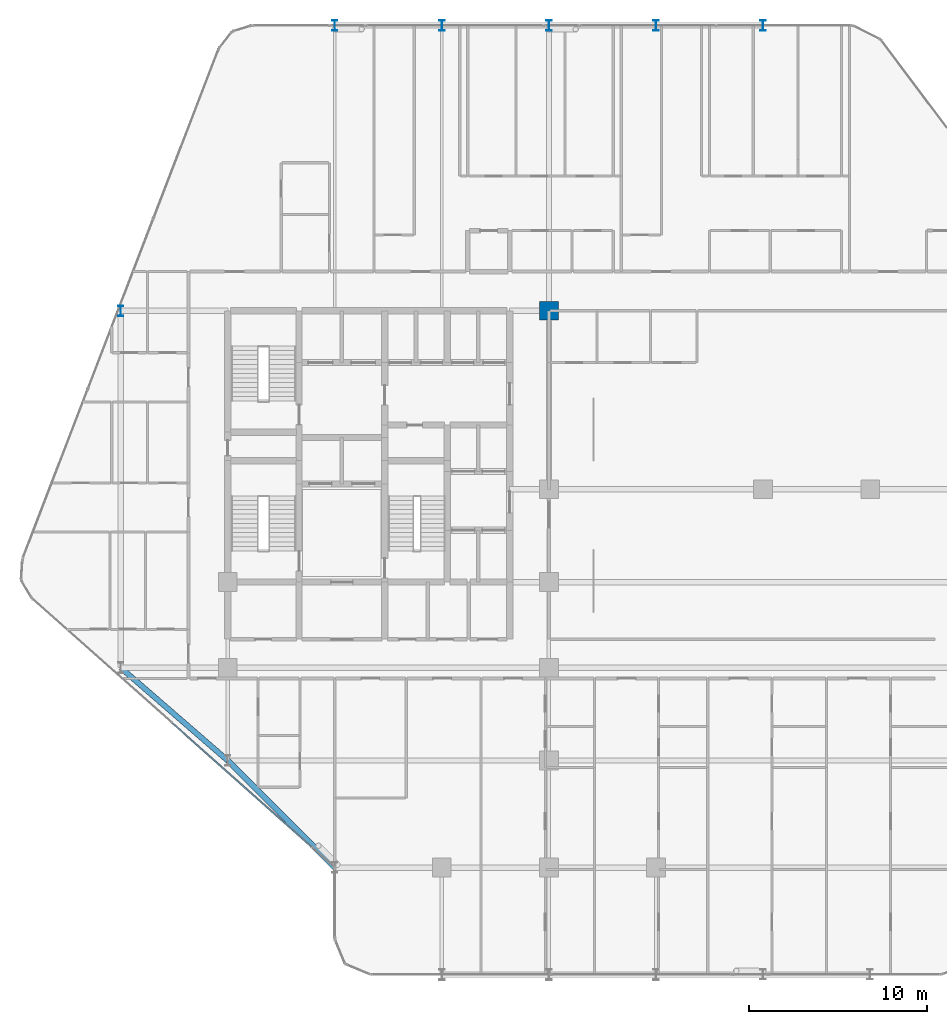
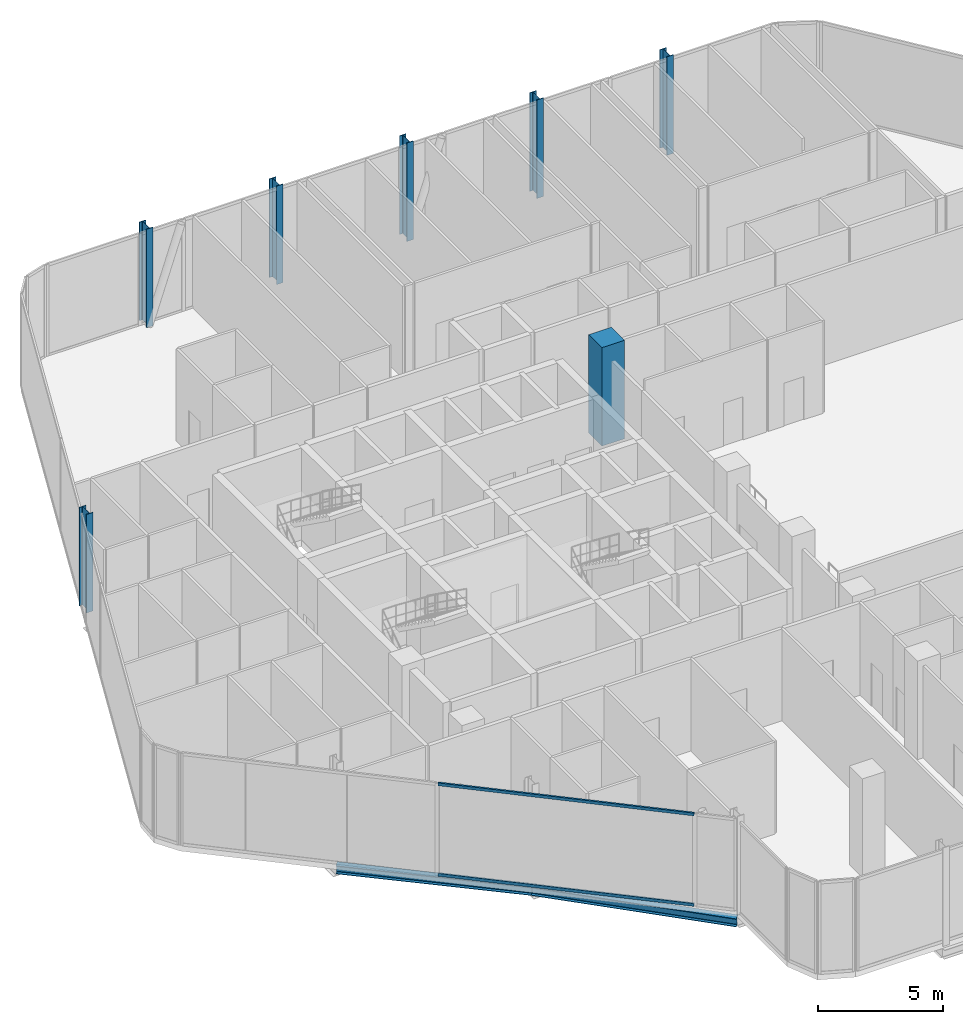
# One storey, part 2 of 29: 7 columns, 2 beams, 2 members, 1 element without a shape of its own.
"""IFC4 building model written with IfcOpenShell, lengths in metres."""

from ifc_helpers import new_model, si_unit, direction, frame, origin, origin_2d, place, context, subcontext, project, spatial, rectangle, hollow_rectangle, i_section, extrude, material, layer, layer_set, material_profile, profile_set, type_object, element, aggregate, save


model = new_model("IFC4")

# Units and contexts
model_context = context("Model", 3, precision=1e-05, world=origin(), true_north=direction((0.0, 1.0)))
body_context = subcontext(model_context, "Body", "Model", "MODEL_VIEW")
ifc_project = project(units=[si_unit("LENGTHUNIT", "METRE"), si_unit("AREAUNIT", "SQUARE_METRE"), si_unit("VOLUMEUNIT", "CUBIC_METRE"), si_unit("PLANEANGLEUNIT", "RADIAN"), si_unit("MASSUNIT", "GRAM", prefix="KILO")], contexts=[model_context])

# Site, building, storey
site_placement = place(None, origin())
site = spatial("IfcSite", under=ifc_project, at=site_placement, CompositionType="ELEMENT")
building_placement = place(site_placement, origin())
building = spatial("IfcBuilding", under=site, at=building_placement, Name="Keshet Zoharim Tower", CompositionType="ELEMENT")
storey_placement = place(building_placement, frame((0.0, 0.0, 120.5)))
storey = spatial("IfcBuildingStorey", under=building, at=storey_placement, Name="L29", CompositionType="ELEMENT", Elevation=120.5)

# Columns
ifc_material_1 = material(Name="Steel S355", Category="steel")
ifc_material_profile_1 = material_profile(ifc_material_1, i_section(OverallWidth=0.300048828125, OverallDepth=0.60009765625, WebThickness=0.015380859375, FlangeThickness=0.030029296875, FilletRadius=0.027099609375, at=origin_2d()), Name="HEB600")
ifc_profile_set_1 = profile_set([ifc_material_profile_1], Name="Steel S355")
column_type_1 = type_object("IfcColumnType", Name="COL-HEB600", PredefinedType="COLUMN", material=ifc_profile_set_1)
for number, where, z_axis, x_axis, name in (
    (1, (9.0, 37.89990234375, 0.0), (0.0, 0.0, 1.0), (1.0, 0.0, 0.0), "L29 Column 2H"),
    (2, (21.0, 53.89990234375, 0.0), (0.0, 0.0, 1.0), (1.0, 0.0, 0.0), "L29 Column 4L"),
    (3, (27.0, 53.89990234375, 0.0), (0.0, 0.0, 1.0), (1.0, 0.0, 0.0), "L29 Column 5L"),
    (4, (33.0, 53.89990234375, 0.0), (0.0, 0.0, 1.0), (1.0, 0.0, 0.0), "L29 Column 6L"),
    (5, (39.0, 53.89990234375, 0.0), (0.0, 0.0, 1.0), (1.0, 0.0, 0.0), "L29 Column 7L"),
    (6, (45.0, 53.89990234375, 0.0), (0.0, 0.0, 1.0), (1.0, 0.0, 0.0), "L29 Column 8L"),
):
    element("IfcColumn", number, at=place(storey_placement, frame(where, z_axis=z_axis, x_axis=x_axis)), inside=storey, type_object=column_type_1, Name=name, PredefinedType="COLUMN", context=body_context, shape_type="SweptSolid", body=[
        extrude(i_section(OverallWidth=0.300048828125, OverallDepth=0.60009765625, WebThickness=0.015380859375, FlangeThickness=0.030029296875, FilletRadius=0.027099609375, at=origin_2d()), origin(), (0.0, 0.0, 1.0), 4.800048828125),
    ])
ifc_material_2 = material(Name="Concrete C60/75", Category="concrete")
ifc_material_profile_2 = material_profile(ifc_material_2, rectangle(XDim=1.050048828125, YDim=1.050048828125, at=origin_2d()), Name="RC1050x1050")
ifc_profile_set_2 = profile_set([ifc_material_profile_2], Name="Concrete C60/75")
column_type_2 = type_object("IfcColumnType", Name="COL-RC1050", PredefinedType="COLUMN", material=ifc_profile_set_2)
column_placement = place(storey_placement, frame((33.0, 37.89990234375, 0.0), z_axis=(0.0, 0.0, 1.0), x_axis=(1.0, 0.0, 0.0)))
element("IfcColumn", 7, at=column_placement, inside=storey, type_object=column_type_2, Name="L29 Column 6H", PredefinedType="COLUMN", context=body_context, shape_type="SweptSolid", body=[
    extrude(rectangle(XDim=1.050048828125, YDim=1.050048828125, at=origin_2d()), origin(), (0.0, 0.0, 1.0), 4.800048828125),
])

# Beams
ifc_material_profile_3 = material_profile(ifc_material_1, i_section(OverallWidth=0.300048828125, OverallDepth=0.39990234375, WebThickness=0.013427734375, FlangeThickness=0.02392578125, FilletRadius=0.027099609375, at=origin_2d()), Name="HEB400")
ifc_profile_set_3 = profile_set([ifc_material_profile_3], Name="Steel S355")
beam_type = type_object("IfcBeamType", Name="BM-SPN-HB400", PredefinedType="SPANDREL", material=ifc_profile_set_3)
beam_1_placement = place(storey_placement, frame((21.0, 6.699951171875, -0.52001953125), z_axis=(-0.707106781187, 0.707106781187, 0.0), x_axis=(-0.707106781187, -0.707106781187, 0.0)))
element("IfcBeam", 8, at=beam_1_placement, inside=storey, type_object=beam_type, Name="L29 Perimeter Spandrel Beam 01", PredefinedType="SPANDREL", context=body_context, shape_type="SweptSolid", body=[
    extrude(i_section(OverallWidth=0.300048828125, OverallDepth=0.39990234375, WebThickness=0.013427734375, FlangeThickness=0.02392578125, FilletRadius=0.027099609375, at=origin_2d()), origin(), (0.0, 0.0, 1.0), 8.4853515625),
])
beam_2_placement = place(storey_placement, frame((9.0, 17.89990234375, -0.52001953125), z_axis=(0.755692126483, -0.654927026447, 0.0), x_axis=(0.654927026447, 0.755692126483, 0.0)))
element("IfcBeam", 9, at=beam_2_placement, inside=storey, type_object=beam_type, Name="L29 Perimeter Spandrel Beam 02", PredefinedType="SPANDREL", context=body_context, shape_type="SweptSolid", body=[
    extrude(i_section(OverallWidth=0.300048828125, OverallDepth=0.39990234375, WebThickness=0.013427734375, FlangeThickness=0.02392578125, FilletRadius=0.027099609375, at=origin_2d()), origin(), (0.0, 0.0, 1.0), 7.939697265625),
])

# Curtain wall, members
ifc_material_3 = material(Name="Aluminium 6063-T6", Category="aluminium")
ifc_layer = layer(ifc_material_3, 0.14990234375)
ifc_layer_set = layer_set([ifc_layer], Name="Aluminium 6063-T6")
curtain_wall_type = type_object("IfcCurtainWallType", Name="CW-SYS-04", PredefinedType="NOTDEFINED", material=ifc_layer_set)
curtain_wall_placement = place(storey_placement, origin())
curtain_wall = element("IfcCurtainWall", 10, at=curtain_wall_placement, inside=storey, type_object=curtain_wall_type, Name="L29 Unitised Curtain Wall 07 Part 2", PredefinedType="NOTDEFINED")
ifc_material_profile_4 = material_profile(ifc_material_3, hollow_rectangle(XDim=0.080078125, YDim=0.139892578125, WallThickness=0.00390625, at=origin_2d()), Name="TRN-80x140")
ifc_profile_set_4 = profile_set([ifc_material_profile_4], Name="Aluminium 6063-T6")
member_type = type_object("IfcMemberType", Name="CWT-T14", PredefinedType="USERDEFINED", material=ifc_profile_set_4)
member_1_placement = place(storey_placement, frame((19.69091796875, 7.863525390625, 0.034912109375), z_axis=(-0.747401576247, 0.664372548969, 0.0), x_axis=(-0.664372548969, -0.747401576247, 0.0)))
member_1 = element("IfcMember", 11, at=member_1_placement, type_object=member_type, Name="CW-04 transom 1.1", ObjectType="TRANSOM", PredefinedType="USERDEFINED", context=body_context, shape_type="SweptSolid", body=[
    extrude(hollow_rectangle(XDim=0.080078125, YDim=0.139892578125, WallThickness=0.00390625, at=origin_2d()), origin(), (0.0, 0.0, 1.0), 10.4384765625),
])
member_2_placement = place(storey_placement, frame((19.69091796875, 7.863525390625, 4.445068359375), z_axis=(-0.747401576247, 0.664372548969, 0.0), x_axis=(-0.664372548969, -0.747401576247, 0.0)))
member_2 = element("IfcMember", 12, at=member_2_placement, type_object=member_type, Name="CW-04 transom 1.2", ObjectType="TRANSOM", PredefinedType="USERDEFINED", context=body_context, shape_type="SweptSolid", body=[
    extrude(hollow_rectangle(XDim=0.080078125, YDim=0.139892578125, WallThickness=0.00390625, at=origin_2d()), origin(), (0.0, 0.0, 1.0), 10.4384765625),
])
aggregate(curtain_wall, [member_1, member_2])

save(model, "model.ifc")
